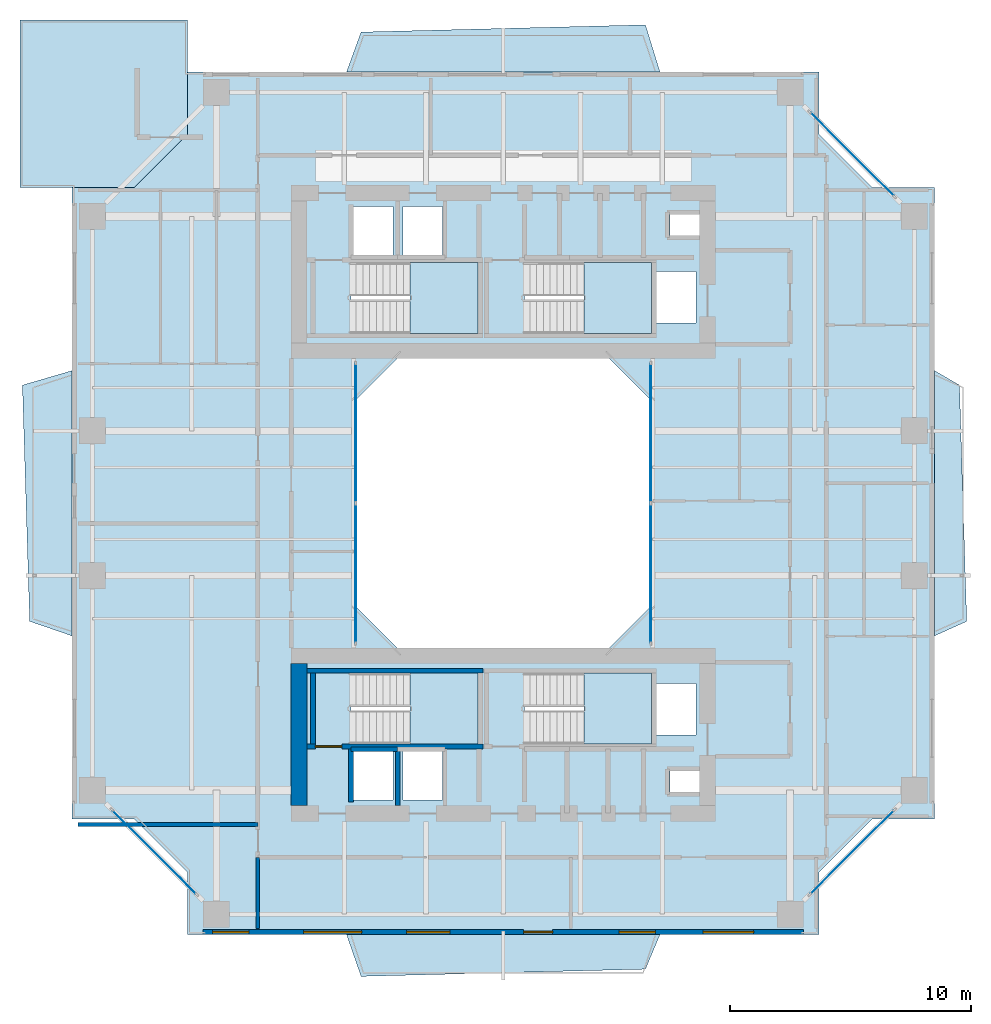
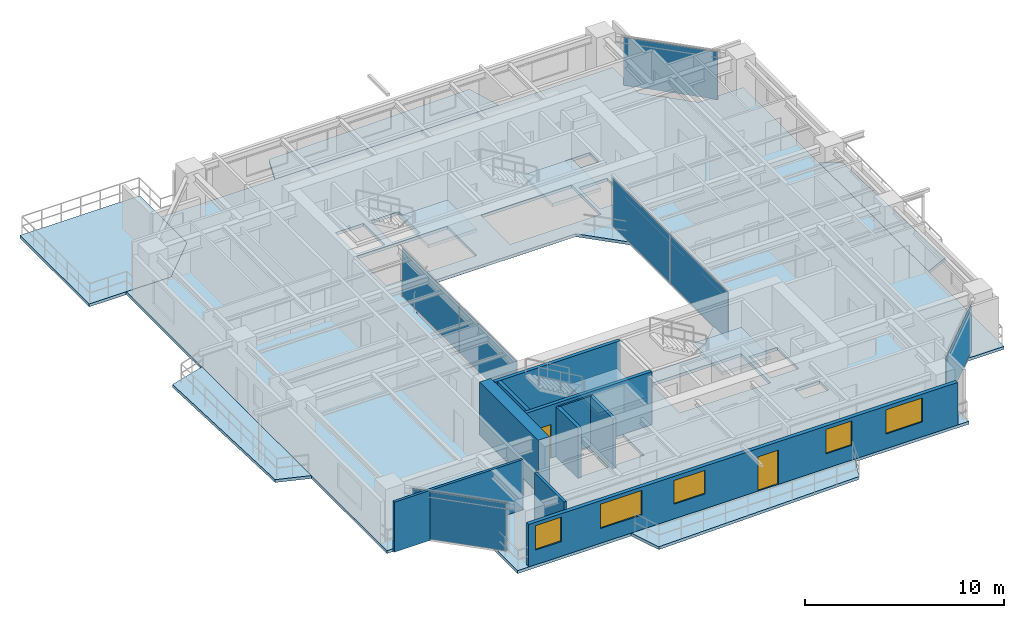
# One storey, part 9 of 17: 10 slabs, 10 walls, 7 plates, 5 windows, 2 doors, 7 openings, 9 elements without a shape of their own.
"""IFC4 building model written with IfcOpenShell, lengths in metres."""

from ifc_helpers import new_model, si_unit, direction, frame, frame_2d, origin, origin_2d, place, context, subcontext, project, spatial, polyline, rectangle, outline, extrude, source, transform, mapped, material, layer, layer_set, type_object, element, fill, aggregate, save


model = new_model("IFC4")

# Units and contexts
model_context = context("Model", 3, precision=1e-05, world=origin(), true_north=direction((0.0, 1.0)))
body_context = subcontext(model_context, "Body", "Model", "MODEL_VIEW")
ifc_project = project(units=[si_unit("LENGTHUNIT", "METRE"), si_unit("AREAUNIT", "SQUARE_METRE"), si_unit("VOLUMEUNIT", "CUBIC_METRE"), si_unit("PLANEANGLEUNIT", "RADIAN"), si_unit("MASSUNIT", "GRAM", prefix="KILO"), si_unit("THERMODYNAMICTEMPERATUREUNIT", "KELVIN"), si_unit("POWERUNIT", "WATT")], contexts=[model_context])

# Site, building, storey
site_placement = place(None, origin())
site = spatial("IfcSite", under=ifc_project, at=site_placement, CompositionType="ELEMENT")
building_placement = place(site_placement, origin())
building = spatial("IfcBuilding", under=site, at=building_placement, Name="Qiaomeng Ring Towers", CompositionType="ELEMENT")
storey_placement = place(building_placement, frame((0.0, 0.0, 132.75)))
storey = spatial("IfcBuildingStorey", under=building, at=storey_placement, Name="L38", CompositionType="ELEMENT", Elevation=132.75)

# Slabs
ifc_material_1 = material(Name="Concrete C40", Category="concrete")
ifc_layer_1 = layer(ifc_material_1, 0.179931640625, Name="Concrete C40")
ifc_layer_set_1 = layer_set([ifc_layer_1], Name="Concrete C40")
slab_type_1 = type_object("IfcSlabType", Name="STR-SL-180", PredefinedType="FLOOR", material=ifc_layer_set_1)
slab_1_placement = place(storey_placement, frame((0.0, 0.0, -0.179931640625)))
element("IfcSlab", 1, at=slab_1_placement, inside=storey, type_object=slab_type_1, Name="L38 Tower 1 Annular Floor Slab", PredefinedType="FLOOR", context=body_context, shape_type="SweptSolid", body=[
    extrude(outline(polyline([(5.89990234375, 5.10009765625), (32.10009765625, 5.10009765625), (32.10009765625, 7.699951171875), (34.300048828125, 9.89990234375), (36.89990234375, 9.89990234375), (36.89990234375, 36.10009765625), (34.300048828125, 36.10009765625), (32.10009765625, 38.300048828125), (32.10009765625, 40.89990234375), (5.89990234375, 40.89990234375), (5.89990234375, 38.300048828125), (3.699951171875, 36.10009765625), (1.10009765625, 36.10009765625), (1.10009765625, 9.89990234375), (3.699951171875, 9.89990234375), (5.89990234375, 7.699951171875), (5.89990234375, 5.10009765625)]), holes=[polyline([(12.780029296875, 10.679931640625), (12.780029296875, 12.820068359375), (14.419921875, 12.820068359375), (14.419921875, 10.679931640625), (12.780029296875, 10.679931640625)]), polyline([(14.830078125, 12.820068359375), (16.469970703125, 12.820068359375), (16.469970703125, 10.679931640625), (14.830078125, 10.679931640625), (14.830078125, 12.820068359375)]), polyline([(12.679931640625, 15.949951171875), (17.949951171875, 15.949951171875), (17.949951171875, 13.010009765625), (12.679931640625, 13.010009765625), (12.679931640625, 15.949951171875)]), polyline([(23.199951171875, 29.199951171875), (25.199951171875, 27.199951171875), (25.199951171875, 18.800048828125), (23.199951171875, 16.800048828125), (14.800048828125, 16.800048828125), (12.800048828125, 18.800048828125), (12.800048828125, 27.199951171875), (14.800048828125, 29.199951171875), (23.199951171875, 29.199951171875)]), polyline([(12.679931640625, 32.989990234375), (17.949951171875, 32.989990234375), (17.949951171875, 30.050048828125), (12.679931640625, 30.050048828125), (12.679931640625, 32.989990234375)]), polyline([(12.780029296875, 35.320068359375), (14.419921875, 35.320068359375), (14.419921875, 33.179931640625), (12.780029296875, 33.179931640625), (12.780029296875, 35.320068359375)]), polyline([(14.830078125, 33.179931640625), (14.830078125, 35.320068359375), (16.469970703125, 35.320068359375), (16.469970703125, 33.179931640625), (14.830078125, 33.179931640625)]), polyline([(25.919921875, 11.89990234375), (27.360107421875, 11.89990234375), (27.360107421875, 11.0), (25.919921875, 11.0), (25.919921875, 11.89990234375)]), polyline([(25.360107421875, 15.52001953125), (27.0, 15.52001953125), (27.0, 13.3798828125), (25.360107421875, 13.3798828125), (25.360107421875, 15.52001953125)]), polyline([(19.8798828125, 15.949951171875), (25.14990234375, 15.949951171875), (25.14990234375, 13.010009765625), (19.8798828125, 13.010009765625), (19.8798828125, 15.949951171875)]), polyline([(19.8798828125, 32.989990234375), (25.14990234375, 32.989990234375), (25.14990234375, 30.050048828125), (19.8798828125, 30.050048828125), (19.8798828125, 32.989990234375)]), polyline([(25.360107421875, 32.6201171875), (27.0, 32.6201171875), (27.0, 30.47998046875), (25.360107421875, 30.47998046875), (25.360107421875, 32.6201171875)]), polyline([(25.919921875, 35.0), (27.360107421875, 35.0), (27.360107421875, 34.10009765625), (25.919921875, 34.10009765625), (25.919921875, 35.0)])]), origin(), (0.0, 0.0, 1.0), 0.179931640625),
])
ifc_layer_2 = layer(ifc_material_1, 0.179931640625, Name="Concrete C40")
ifc_layer_set_2 = layer_set([ifc_layer_2], Name="Concrete C40")
slab_type_2 = type_object("IfcSlabType", Name="STR-SL-BAL", PredefinedType="FLOOR", material=ifc_layer_set_2)
slab_2_placement = place(storey_placement, frame((0.0, 0.0, -0.179931640625)))
element("IfcSlab", 2, at=slab_2_placement, inside=storey, type_object=slab_type_2, Name="L38 Tower 1 S Faceted Balcony Slab", PredefinedType="FLOOR", context=body_context, shape_type="SweptSolid", body=[
    extrude(outline(polyline([(24.89990234375, 3.669921875), (13.10009765625, 3.3701171875), (12.5, 5.10009765625), (25.5, 5.10009765625), (24.89990234375, 3.669921875)])), origin(), (0.0, 0.0, 1.0), 0.179931640625),
])
slab_3_placement = place(storey_placement, frame((0.0, 0.0, -0.179931640625)))
element("IfcSlab", 3, at=slab_3_placement, inside=storey, type_object=slab_type_2, Name="L38 Tower 1 E Faceted Balcony Slab", PredefinedType="FLOOR", context=body_context, shape_type="SweptSolid", body=[
    extrude(outline(polyline([(37.929931640625, 27.89990234375), (38.22998046875, 18.10009765625), (36.89990234375, 17.5), (36.89990234375, 28.5), (37.929931640625, 27.89990234375)])), origin(), (0.0, 0.0, 1.0), 0.179931640625),
])
slab_4_placement = place(storey_placement, frame((0.0, 0.0, -0.179931640625)))
element("IfcSlab", 4, at=slab_4_placement, inside=storey, type_object=slab_type_2, Name="L38 Tower 1 N Faceted Balcony Slab", PredefinedType="FLOOR", context=body_context, shape_type="SweptSolid", body=[
    extrude(outline(polyline([(12.5, 40.89990234375), (13.10009765625, 42.550048828125), (24.89990234375, 42.85009765625), (25.5, 40.89990234375), (12.5, 40.89990234375)])), origin(), (0.0, 0.0, 1.0), 0.179931640625),
])
slab_5_placement = place(storey_placement, frame((0.0, 0.0, -0.179931640625)))
element("IfcSlab", 5, at=slab_5_placement, inside=storey, type_object=slab_type_2, Name="L38 Tower 1 W Faceted Balcony Slab", PredefinedType="FLOOR", context=body_context, shape_type="SweptSolid", body=[
    extrude(outline(polyline([(-0.64990234375, 18.10009765625), (-0.949951171875, 27.89990234375), (1.10009765625, 28.5), (1.10009765625, 17.5), (-0.64990234375, 18.10009765625)])), origin(), (0.0, 0.0, 1.0), 0.179931640625),
])

# Stair, slab
ifc_material_2 = material(Name="Precast concrete C40", Category="concrete")
stair_type = type_object("IfcStairType", Name="ARC-ST-325", PredefinedType="HALF_TURN_STAIR", material=ifc_material_2)
stair_1_placement = place(storey_placement, origin())
stair_1 = element("IfcStair", 6, at=stair_1_placement, inside=storey, type_object=stair_type, Name="L38 Tower 1 North Stair 1", PredefinedType="HALF_TURN_STAIR")
ifc_layer_3 = layer(ifc_material_1, 0.199951171875, Name="Concrete C40")
ifc_layer_set_3 = layer_set([ifc_layer_3], Name="Concrete C40")
slab_type_3 = type_object("IfcSlabType", Name="STR-SL-LANDING", PredefinedType="LANDING", material=ifc_layer_set_3)
slab_6_placement = place(storey_placement, frame((0.0, 0.0, 1.425048828125)))
slab_6 = element("IfcSlab", 7, at=slab_6_placement, type_object=slab_type_3, Name="ST1 landing 1", PredefinedType="LANDING", context=body_context, shape_type="SweptSolid", body=[
    extrude(outline(polyline([(15.139892578125, 30.050048828125), (17.949951171875, 30.050048828125), (17.949951171875, 32.989990234375), (15.139892578125, 32.989990234375), (15.139892578125, 30.050048828125)])), origin(), (0.0, 0.0, 1.0), 0.199951171875),
])
aggregate(stair_1, [slab_6])

stair_2_placement = place(storey_placement, origin())
stair_2 = element("IfcStair", 8, at=stair_2_placement, inside=storey, type_object=stair_type, Name="L38 Tower 1 North Stair 2", PredefinedType="HALF_TURN_STAIR")
slab_7_placement = place(storey_placement, frame((0.0, 0.0, 1.425048828125)))
slab_7 = element("IfcSlab", 9, at=slab_7_placement, type_object=slab_type_3, Name="ST2 landing 1", PredefinedType="LANDING", context=body_context, shape_type="SweptSolid", body=[
    extrude(outline(polyline([(22.340087890625, 30.050048828125), (25.14990234375, 30.050048828125), (25.14990234375, 32.989990234375), (22.340087890625, 32.989990234375), (22.340087890625, 30.050048828125)])), origin(), (0.0, 0.0, 1.0), 0.199951171875),
])
aggregate(stair_2, [slab_7])

stair_3_placement = place(storey_placement, origin())
stair_3 = element("IfcStair", 10, at=stair_3_placement, inside=storey, type_object=stair_type, Name="L38 Tower 1 South Stair 3", PredefinedType="HALF_TURN_STAIR")
slab_8_placement = place(storey_placement, frame((0.0, 0.0, 1.425048828125)))
slab_8 = element("IfcSlab", 11, at=slab_8_placement, type_object=slab_type_3, Name="ST3 landing 1", PredefinedType="LANDING", context=body_context, shape_type="SweptSolid", body=[
    extrude(outline(polyline([(15.139892578125, 13.010009765625), (17.949951171875, 13.010009765625), (17.949951171875, 15.949951171875), (15.139892578125, 15.949951171875), (15.139892578125, 13.010009765625)])), origin(), (0.0, 0.0, 1.0), 0.199951171875),
])
aggregate(stair_3, [slab_8])

stair_4_placement = place(storey_placement, origin())
stair_4 = element("IfcStair", 12, at=stair_4_placement, inside=storey, type_object=stair_type, Name="L38 Tower 1 South Stair 4", PredefinedType="HALF_TURN_STAIR")
slab_9_placement = place(storey_placement, frame((0.0, 0.0, 1.425048828125)))
slab_9 = element("IfcSlab", 13, at=slab_9_placement, type_object=slab_type_3, Name="ST4 landing 1", PredefinedType="LANDING", context=body_context, shape_type="SweptSolid", body=[
    extrude(outline(polyline([(22.340087890625, 13.010009765625), (25.14990234375, 13.010009765625), (25.14990234375, 15.949951171875), (22.340087890625, 15.949951171875), (22.340087890625, 13.010009765625)])), origin(), (0.0, 0.0, 1.0), 0.199951171875),
])
aggregate(stair_4, [slab_9])

# Slab
ifc_layer_4 = layer(ifc_material_1, 0.179931640625, Name="Concrete C40")
ifc_layer_set_4 = layer_set([ifc_layer_4], Name="Concrete C40")
slab_type_4 = type_object("IfcSlabType", Name="STR-SL-TERR180", PredefinedType="FLOOR", material=ifc_layer_set_4)
slab_10_placement = place(storey_placement, frame((0.0, 0.0, -0.179931640625)))
element("IfcSlab", 14, at=slab_10_placement, inside=storey, type_object=slab_type_4, Name="L38 Spiralling Corner Sky Terrace NW", PredefinedType="FLOOR", context=body_context, shape_type="SweptSolid", body=[
    extrude(outline(polyline([(-1.050048828125, 36.10009765625), (-1.050048828125, 43.050048828125), (5.89990234375, 43.050048828125), (5.89990234375, 40.89990234375), (5.89990234375, 40.89990234375), (5.89990234375, 38.300048828125), (3.699951171875, 36.10009765625), (1.10009765625, 36.10009765625), (-1.050048828125, 36.10009765625)])), origin(), (0.0, 0.0, 1.0), 0.179931640625),
])

# Curtain wall, plates
ifc_material_3 = material(Name="Fluorocarbon dark-grey aluminium", Category="aluminium")
ifc_layer_5 = layer(ifc_material_3, 0.139892578125, Name="Fluorocarbon dark-grey aluminium")
ifc_layer_set_5 = layer_set([ifc_layer_5], Name="Fluorocarbon dark-grey aluminium")
curtain_wall_type_1 = type_object("IfcCurtainWallType", Name="ARC-CW-4", PredefinedType="NOTDEFINED", material=ifc_layer_set_5)
curtain_wall_1_placement = place(storey_placement, origin())
curtain_wall_1 = element("IfcCurtainWall", 15, at=curtain_wall_1_placement, inside=storey, type_object=curtain_wall_type_1, Name="L38 Curtain Wall CW4", PredefinedType="NOTDEFINED")
ifc_material_4 = material(Name="Low-E dark-grey laminated double glazing", Category="glass")
ifc_layer_6 = layer(ifc_material_4, 0.028076171875, Name="Low-E dark-grey laminated double glazing")
ifc_layer_set_6 = layer_set([ifc_layer_6], Name="Low-E dark-grey laminated double glazing")
plate_type = type_object("IfcPlateType", Name="ARC-CWP-DARK", PredefinedType="CURTAIN_PANEL", material=ifc_layer_set_6)
shared_shape_1 = source(origin(), body_context, "Body", "SweptSolid", [
    extrude(rectangle(XDim=5.75244140625, YDim=0.028076171875, at=origin_2d()), origin(), (0.0, 0.0, 1.0), 2.93994140625),
])
plate_1_placement = place(storey_placement, frame((12.8798828125, 20.09130859375, 0.06494140625), z_axis=(0.0, 0.0, 1.0), x_axis=(0.0, 1.0, 0.0)))
plate_1 = element("IfcPlate", 16, at=plate_1_placement, type_object=plate_type, Name="CW4 panel 1.1", PredefinedType="CURTAIN_PANEL", context=body_context, shape_type="MappedRepresentation", body=[
    mapped(shared_shape_1, transform((0.0, 0.0, 0.0), x_axis=(1.0, 0.0, 0.0), y_axis=(0.0, 1.0, 0.0), z_axis=(0.0, 0.0, 1.0), scale=1.0)),
])
plate_2_placement = place(storey_placement, frame((12.8798828125, 25.90869140625, 0.06494140625), z_axis=(0.0, 0.0, 1.0), x_axis=(0.0, 1.0, 0.0)))
plate_2 = element("IfcPlate", 17, at=plate_2_placement, type_object=plate_type, Name="CW4 panel 2.1", PredefinedType="CURTAIN_PANEL", context=body_context, shape_type="MappedRepresentation", body=[
    mapped(shared_shape_1, transform((0.0, 0.0, 0.0), x_axis=(1.0, 0.0, 0.0), y_axis=(0.0, 1.0, 0.0), z_axis=(0.0, 0.0, 1.0), scale=1.0)),
])
aggregate(curtain_wall_1, [plate_1, plate_2])

curtain_wall_2_placement = place(storey_placement, origin())
curtain_wall_2 = element("IfcCurtainWall", 18, at=curtain_wall_2_placement, inside=storey, type_object=curtain_wall_type_1, Name="L38 Curtain Wall CW4", PredefinedType="NOTDEFINED")
plate_3_placement = place(storey_placement, frame((25.1201171875, 20.09130859375, 0.06494140625), z_axis=(0.0, 0.0, 1.0), x_axis=(0.0, 1.0, 0.0)))
plate_3 = element("IfcPlate", 19, at=plate_3_placement, type_object=plate_type, Name="CW4 panel 1.1", PredefinedType="CURTAIN_PANEL", context=body_context, shape_type="MappedRepresentation", body=[
    mapped(shared_shape_1, transform((0.0, 0.0, 0.0), x_axis=(1.0, 0.0, 0.0), y_axis=(0.0, 1.0, 0.0), z_axis=(0.0, 0.0, 1.0), scale=1.0)),
])
plate_4_placement = place(storey_placement, frame((25.1201171875, 25.90869140625, 0.06494140625), z_axis=(0.0, 0.0, 1.0), x_axis=(0.0, 1.0, 0.0)))
plate_4 = element("IfcPlate", 20, at=plate_4_placement, type_object=plate_type, Name="CW4 panel 2.1", PredefinedType="CURTAIN_PANEL", context=body_context, shape_type="MappedRepresentation", body=[
    mapped(shared_shape_1, transform((0.0, 0.0, 0.0), x_axis=(1.0, 0.0, 0.0), y_axis=(0.0, 1.0, 0.0), z_axis=(0.0, 0.0, 1.0), scale=1.0)),
])
aggregate(curtain_wall_2, [plate_3, plate_4])

# Curtain wall, plate
ifc_layer_7 = layer(ifc_material_3, 0.14990234375, Name="Fluorocarbon dark-grey aluminium")
ifc_layer_set_7 = layer_set([ifc_layer_7], Name="Fluorocarbon dark-grey aluminium")
curtain_wall_type_2 = type_object("IfcCurtainWallType", Name="ARC-CW-3", PredefinedType="NOTDEFINED", material=ifc_layer_set_7)
curtain_wall_3_placement = place(storey_placement, origin())
curtain_wall_3 = element("IfcCurtainWall", 21, at=curtain_wall_3_placement, inside=storey, type_object=curtain_wall_type_2, Name="L38 Curtain Wall CW3", PredefinedType="NOTDEFINED")
shared_shape_2 = source(origin(), body_context, "Body", "SweptSolid", [
    extrude(rectangle(XDim=4.90869140625, YDim=0.028076171875, at=origin_2d()), origin(), (0.0, 0.0, 1.0), 2.93994140625),
])
plate_5_placement = place(storey_placement, frame((33.47509765625, 8.52490234375, 0.06494140625), z_axis=(0.0, 0.0, 1.0), x_axis=(0.707106781187, 0.707106781187, 0.0)))
plate_5 = element("IfcPlate", 22, at=plate_5_placement, type_object=plate_type, Name="CW3 panel 1.1", PredefinedType="CURTAIN_PANEL", context=body_context, shape_type="MappedRepresentation", body=[
    mapped(shared_shape_2, transform((0.0, 0.0, 0.0), x_axis=(1.0, 0.0, 0.0), y_axis=(0.0, 1.0, 0.0), z_axis=(0.0, 0.0, 1.0), scale=1.0)),
])
aggregate(curtain_wall_3, [plate_5])

curtain_wall_4_placement = place(storey_placement, origin())
curtain_wall_4 = element("IfcCurtainWall", 23, at=curtain_wall_4_placement, inside=storey, type_object=curtain_wall_type_2, Name="L38 Curtain Wall CW3", PredefinedType="NOTDEFINED")
plate_6_placement = place(storey_placement, frame((33.47509765625, 37.47509765625, 0.06494140625), z_axis=(0.0, 0.0, 1.0), x_axis=(-0.707106781187, 0.707106781187, 0.0)))
plate_6 = element("IfcPlate", 24, at=plate_6_placement, type_object=plate_type, Name="CW3 panel 1.1", PredefinedType="CURTAIN_PANEL", context=body_context, shape_type="MappedRepresentation", body=[
    mapped(shared_shape_2, transform((0.0, 0.0, 0.0), x_axis=(1.0, 0.0, 0.0), y_axis=(0.0, 1.0, 0.0), z_axis=(0.0, 0.0, 1.0), scale=1.0)),
])
aggregate(curtain_wall_4, [plate_6])

curtain_wall_5_placement = place(storey_placement, origin())
curtain_wall_5 = element("IfcCurtainWall", 25, at=curtain_wall_5_placement, inside=storey, type_object=curtain_wall_type_2, Name="L38 Curtain Wall CW3", PredefinedType="NOTDEFINED")
plate_7_placement = place(storey_placement, frame((4.52490234375, 8.52490234375, 0.06494140625), z_axis=(0.0, 0.0, 1.0), x_axis=(0.707106781187, -0.707106781187, 0.0)))
plate_7 = element("IfcPlate", 26, at=plate_7_placement, type_object=plate_type, Name="CW3 panel 1.1", PredefinedType="CURTAIN_PANEL", context=body_context, shape_type="MappedRepresentation", body=[
    mapped(shared_shape_2, transform((0.0, 0.0, 0.0), x_axis=(1.0, 0.0, 0.0), y_axis=(0.0, 1.0, 0.0), z_axis=(0.0, 0.0, 1.0), scale=1.0)),
])
aggregate(curtain_wall_5, [plate_7])

# Wall, openings, windows, door
ifc_layer_8 = layer(ifc_material_2, 0.219970703125, Name="Precast concrete C40")
ifc_layer_set_8 = layer_set([ifc_layer_8], Name="Precast concrete C40")
wall_type_1 = type_object("IfcWallType", Name="ARC-WL-EW2", PredefinedType="STANDARD", material=ifc_layer_set_8)
wall_1_placement = place(storey_placement, frame((6.550048828125, 5.2099609375, 0.0), z_axis=(0.0, 0.0, 1.0), x_axis=(1.0, 0.0, 0.0)))
wall_1 = element("IfcWall", 27, at=wall_1_placement, inside=storey, type_object=wall_type_1, Name="L38 Tower 1 S Exterior Wall", PredefinedType="STANDARD", context=body_context, shape_type="SweptSolid", body=[
    extrude(rectangle(XDim=24.89990234375, YDim=0.219970703125, at=frame_2d((12.449951171875, 0.0))), origin(), (0.0, 0.0, 1.0), 2.610107421875),
])
opening_1_placement = place(wall_1_placement, frame((13.300048828125, 0.0, 0.0)))
opening_1 = element("IfcOpeningElement", 28, at=opening_1_placement, cuts=wall_1, Name="Opening BD1", PredefinedType="OPENING", context=body_context, shape_type="SweptSolid", body=[
    extrude(rectangle(XDim=1.199951171875, YDim=2.10009765625, at=frame_2d((0.60009765625, 1.050048828125))), frame((0.0, 0.119873046875, 0.0), z_axis=(0.0, -1.0, 0.0), x_axis=(1.0, 0.0, 0.0)), (0.0, 0.0, 1.0), 0.239990234375),
])
opening_2_placement = place(wall_1_placement, frame((0.392578125, 0.0, 0.89990234375)))
opening_2 = element("IfcOpeningElement", 29, at=opening_2_placement, cuts=wall_1, Name="Opening WN2", PredefinedType="OPENING", context=body_context, shape_type="SweptSolid", body=[
    extrude(rectangle(XDim=1.5, YDim=1.5, at=frame_2d((0.75, 0.75))), frame((0.0, 0.119873046875, 0.0), z_axis=(0.0, -1.0, 0.0), x_axis=(1.0, 0.0, 0.0)), (0.0, 0.0, 1.0), 0.239990234375),
])
opening_3_placement = place(wall_1_placement, frame((8.43798828125, 0.0, 0.89990234375)))
opening_3 = element("IfcOpeningElement", 30, at=opening_3_placement, cuts=wall_1, Name="Opening WN1", PredefinedType="OPENING", context=body_context, shape_type="SweptSolid", body=[
    extrude(rectangle(XDim=1.800048828125, YDim=1.449951171875, at=frame_2d((0.89990234375, 0.72509765625))), frame((0.0, 0.119873046875, 0.0), z_axis=(0.0, -1.0, 0.0), x_axis=(1.0, 0.0, 0.0)), (0.0, 0.0, 1.0), 0.239990234375),
])
opening_4_placement = place(wall_1_placement, frame((17.261474609375, 0.0, 0.89990234375)))
opening_4 = element("IfcOpeningElement", 31, at=opening_4_placement, cuts=wall_1, Name="Opening WN2", PredefinedType="OPENING", context=body_context, shape_type="SweptSolid", body=[
    extrude(rectangle(XDim=1.5, YDim=1.5, at=frame_2d((0.75, 0.75))), frame((0.0, 0.119873046875, 0.0), z_axis=(0.0, -1.0, 0.0), x_axis=(1.0, 0.0, 0.0)), (0.0, 0.0, 1.0), 0.239990234375),
])
opening_5_placement = place(wall_1_placement, frame((20.738037109375, 0.0, 0.89990234375)))
opening_5 = element("IfcOpeningElement", 32, at=opening_5_placement, cuts=wall_1, Name="Opening WN4", PredefinedType="OPENING", context=body_context, shape_type="SweptSolid", body=[
    extrude(rectangle(XDim=2.10009765625, YDim=1.47998046875, at=frame_2d((1.050048828125, 0.739990234375))), frame((0.0, 0.119873046875, 0.0), z_axis=(0.0, -1.0, 0.0), x_axis=(1.0, 0.0, 0.0)), (0.0, 0.0, 1.0), 0.239990234375),
])
opening_6_placement = place(wall_1_placement, frame((4.17138671875, 0.0, 0.89990234375)))
opening_6 = element("IfcOpeningElement", 33, at=opening_6_placement, cuts=wall_1, Name="Opening WN6", PredefinedType="OPENING", context=body_context, shape_type="SweptSolid", body=[
    extrude(rectangle(XDim=2.39990234375, YDim=1.5, at=frame_2d((1.199951171875, 0.75))), frame((0.0, 0.119873046875, 0.0), z_axis=(0.0, -1.0, 0.0), x_axis=(1.0, 0.0, 0.0)), (0.0, 0.0, 1.0), 0.239990234375),
])
window_type_1 = type_object("IfcWindowType", Name="ARC-WN-4", PartitioningType="TRIPLE_PANEL_VERTICAL", PredefinedType="WINDOW", material=ifc_material_4)
shared_shape_3 = source(origin(), body_context, "Body", "SweptSolid", [
    extrude(rectangle(XDim=2.10009765625, YDim=1.47998046875, at=frame_2d((1.050048828125, 0.739990234375))), frame((0.0, 0.030029296875, 0.0), z_axis=(0.0, -1.0, 0.0), x_axis=(1.0, 0.0, 0.0)), (0.0, 0.0, 1.0), 0.06005859375),
])
window_1_placement = place(opening_5_placement, origin())
window_1 = element("IfcWindow", 34, at=window_1_placement, inside=storey, type_object=window_type_1, Name="L38 Exterior Window WN4", OverallHeight=1.47998046875, OverallWidth=2.10009765625, PartitioningType="TRIPLE_PANEL_VERTICAL", PredefinedType="WINDOW", context=body_context, shape_type="MappedRepresentation", body=[
    mapped(shared_shape_3, transform((0.0, 0.0, 0.0), x_axis=(1.0, 0.0, 0.0), y_axis=(0.0, 1.0, 0.0), z_axis=(0.0, 0.0, 1.0), scale=1.0)),
])
fill(opening_5, window_1)
window_type_2 = type_object("IfcWindowType", Name="ARC-WN-1", PartitioningType="DOUBLE_PANEL_VERTICAL", PredefinedType="WINDOW", material=ifc_material_4)
shared_shape_4 = source(origin(), body_context, "Body", "SweptSolid", [
    extrude(rectangle(XDim=1.800048828125, YDim=1.449951171875, at=frame_2d((0.89990234375, 0.72509765625))), frame((0.0, 0.030029296875, 0.0), z_axis=(0.0, -1.0, 0.0), x_axis=(1.0, 0.0, 0.0)), (0.0, 0.0, 1.0), 0.06005859375),
])
window_2_placement = place(opening_3_placement, origin())
window_2 = element("IfcWindow", 35, at=window_2_placement, inside=storey, type_object=window_type_2, Name="L38 Exterior Window WN1", OverallHeight=1.449951171875, OverallWidth=1.800048828125, PartitioningType="DOUBLE_PANEL_VERTICAL", PredefinedType="WINDOW", context=body_context, shape_type="MappedRepresentation", body=[
    mapped(shared_shape_4, transform((0.0, 0.0, 0.0), x_axis=(1.0, 0.0, 0.0), y_axis=(0.0, 1.0, 0.0), z_axis=(0.0, 0.0, 1.0), scale=1.0)),
])
fill(opening_3, window_2)
door_type_1 = type_object("IfcDoorType", Name="ARC-DR-BD1", OperationType="NOTDEFINED", PredefinedType="DOOR", material=ifc_material_4)
shared_shape_5 = source(origin(), body_context, "Body", "SweptSolid", [
    extrude(rectangle(XDim=1.199951171875, YDim=2.10009765625, at=frame_2d((0.60009765625, 1.050048828125))), frame((0.0, 0.02490234375, 0.0), z_axis=(0.0, -1.0, 0.0), x_axis=(1.0, 0.0, 0.0)), (0.0, 0.0, 1.0), 0.050048828125),
])
door_1_placement = place(opening_1_placement, frame((1.199951171875, 0.0, 0.0), z_axis=(0.0, 0.0, 1.0), x_axis=(-1.0, 0.0, 0.0)))
door_1 = element("IfcDoor", 36, at=door_1_placement, inside=storey, type_object=door_type_1, Name="L38 S Balcony Glazed Door", OperationType="SINGLE_SWING_LEFT", OverallHeight=2.10009765625, OverallWidth=1.199951171875, PredefinedType="DOOR", context=body_context, shape_type="MappedRepresentation", body=[
    mapped(shared_shape_5, transform((0.0, 0.0, 0.0), x_axis=(1.0, 0.0, 0.0), y_axis=(0.0, 1.0, 0.0), z_axis=(0.0, 0.0, 1.0), scale=1.0)),
])
fill(opening_1, door_1)
window_type_3 = type_object("IfcWindowType", Name="ARC-WN-2", PartitioningType="DOUBLE_PANEL_VERTICAL", PredefinedType="WINDOW", material=ifc_material_4)
shared_shape_6 = source(origin(), body_context, "Body", "SweptSolid", [
    extrude(rectangle(XDim=1.5, YDim=1.5, at=frame_2d((0.75, 0.75))), frame((0.0, 0.030029296875, 0.0), z_axis=(0.0, -1.0, 0.0), x_axis=(1.0, 0.0, 0.0)), (0.0, 0.0, 1.0), 0.06005859375),
])
window_3_placement = place(opening_2_placement, origin())
window_3 = element("IfcWindow", 37, at=window_3_placement, inside=storey, type_object=window_type_3, Name="L38 Exterior Window WN6", OverallHeight=1.5, OverallWidth=1.5, PartitioningType="TRIPLE_PANEL_VERTICAL", PredefinedType="WINDOW", context=body_context, shape_type="MappedRepresentation", body=[
    mapped(shared_shape_6, transform((0.0, 0.0, 0.0), x_axis=(1.0, 0.0, 0.0), y_axis=(0.0, 1.0, 0.0), z_axis=(0.0, 0.0, 1.0), scale=1.0)),
])
fill(opening_2, window_3)
window_4_placement = place(opening_4_placement, origin())
window_4 = element("IfcWindow", 38, at=window_4_placement, inside=storey, type_object=window_type_3, Name="L38 Exterior Window WN2", OverallHeight=1.5, OverallWidth=1.5, PartitioningType="DOUBLE_PANEL_VERTICAL", PredefinedType="WINDOW", context=body_context, shape_type="MappedRepresentation", body=[
    mapped(shared_shape_6, transform((0.0, 0.0, 0.0), x_axis=(1.0, 0.0, 0.0), y_axis=(0.0, 1.0, 0.0), z_axis=(0.0, 0.0, 1.0), scale=1.0)),
])
fill(opening_4, window_4)
window_type_4 = type_object("IfcWindowType", Name="ARC-WN-6", PartitioningType="TRIPLE_PANEL_VERTICAL", PredefinedType="WINDOW", material=ifc_material_4)
shared_shape_7 = source(origin(), body_context, "Body", "SweptSolid", [
    extrude(rectangle(XDim=2.39990234375, YDim=1.5, at=frame_2d((1.199951171875, 0.75))), frame((0.0, 0.030029296875, 0.0), z_axis=(0.0, -1.0, 0.0), x_axis=(1.0, 0.0, 0.0)), (0.0, 0.0, 1.0), 0.06005859375),
])
window_5_placement = place(opening_6_placement, origin())
window_5 = element("IfcWindow", 39, at=window_5_placement, inside=storey, type_object=window_type_4, Name="L38 Exterior Window WN6", OverallHeight=1.5, OverallWidth=2.39990234375, PartitioningType="TRIPLE_PANEL_VERTICAL", PredefinedType="WINDOW", context=body_context, shape_type="MappedRepresentation", body=[
    mapped(shared_shape_7, transform((0.0, 0.0, 0.0), x_axis=(1.0, 0.0, 0.0), y_axis=(0.0, 1.0, 0.0), z_axis=(0.0, 0.0, 1.0), scale=1.0)),
])
fill(opening_6, window_5)

# Walls
ifc_material_5 = material(Name="Autoclaved aerated concrete block", Category="concrete")
ifc_layer_9 = layer(ifc_material_5, 0.199951171875, Name="Autoclaved aerated concrete block")
ifc_layer_set_9 = layer_set([ifc_layer_9], Name="Autoclaved aerated concrete block")
wall_type_2 = type_object("IfcWallType", Name="ARC-WL-PW1", PredefinedType="PARTITIONING", material=ifc_layer_set_9)
wall_2_placement = place(storey_placement, frame((12.679931640625, 10.60009765625, 0.0), z_axis=(0.0, 0.0, 1.0), x_axis=(0.0, 1.0, 0.0)))
element("IfcWall", 40, at=wall_2_placement, inside=storey, type_object=wall_type_2, Name="L38 Interior Wall PW1", PredefinedType="PARTITIONING", context=body_context, shape_type="SweptSolid", body=[
    extrude(rectangle(XDim=2.2099609375, YDim=0.199951171875, at=frame_2d((1.10498046875, 0.0))), origin(), (0.0, 0.0, 1.0), 3.070068359375),
])
ifc_material_6 = material(Name="Gypsum fireboard steel-stud partition", Category="steel")
ifc_layer_10 = layer(ifc_material_6, 0.14990234375, Name="Gypsum fireboard steel-stud partition")
ifc_layer_set_10 = layer_set([ifc_layer_10], Name="Gypsum fireboard steel-stud partition")
wall_type_3 = type_object("IfcWallType", Name="ARC-WL-PW3", PredefinedType="PARTITIONING", material=ifc_layer_set_10)
wall_3_placement = place(storey_placement, frame((8.820068359375, 5.35009765625, 0.0), z_axis=(0.0, 0.0, 1.0), x_axis=(0.0, 1.0, 0.0)))
element("IfcWall", 41, at=wall_3_placement, inside=storey, type_object=wall_type_3, Name="L38 Interior Wall PW3", PredefinedType="PARTITIONING", context=body_context, shape_type="SweptSolid", body=[
    extrude(rectangle(XDim=2.9599609375, YDim=0.14990234375, at=frame_2d((1.47998046875, 0.0))), origin(), (0.0, 0.0, 1.0), 3.070068359375),
])
wall_4_placement = place(storey_placement, frame((1.35009765625, 9.669921875, 0.0), z_axis=(0.0, 0.0, 1.0), x_axis=(1.0, 0.0, 0.0)))
element("IfcWall", 42, at=wall_4_placement, inside=storey, type_object=wall_type_3, Name="L38 Interior Wall PW3", PredefinedType="PARTITIONING", context=body_context, shape_type="SweptSolid", body=[
    extrude(rectangle(XDim=7.469970703125, YDim=0.14990234375, at=frame_2d((3.73486328125, 0.0))), origin(), (0.0, 0.0, 1.0), 3.070068359375),
])
ifc_layer_11 = layer(ifc_material_1, 0.199951171875, Name="Concrete C40")
ifc_layer_set_11 = layer_set([ifc_layer_11], Name="Concrete C40")
wall_type_4 = type_object("IfcWallType", Name="STR-WL-STSHAFT", PredefinedType="SHEAR", material=ifc_layer_set_11)
wall_5_placement = place(storey_placement, frame((12.679931640625, 12.800048828125, 0.0), z_axis=(0.0, 0.0, 1.0), x_axis=(1.0, 0.0, 0.0)))
element("IfcWall", 43, at=wall_5_placement, inside=storey, type_object=wall_type_4, Name="L38 Lift LP6 Shaft Back Wall", PredefinedType="SHEAR", context=body_context, shape_type="SweptSolid", body=[
    extrude(rectangle(XDim=1.940185546875, YDim=0.179931640625, at=frame_2d((0.97021484375, 0.0))), origin(), (0.0, 0.0, 1.0), 3.070068359375),
])
wall_6_placement = place(storey_placement, frame((14.6201171875, 10.449951171875, 0.0), z_axis=(0.0, 0.0, 1.0), x_axis=(0.0, 1.0, 0.0)))
element("IfcWall", 44, at=wall_6_placement, inside=storey, type_object=wall_type_4, Name="L38 Lift LP6-LP4 Shaft Divider Wall", PredefinedType="SHEAR", context=body_context, shape_type="SweptSolid", body=[
    extrude(rectangle(XDim=2.35009765625, YDim=0.179931640625, at=frame_2d((1.175048828125, 0.0))), origin(), (0.0, 0.0, 1.0), 3.070068359375),
])

# Wall, opening, door
wall_7_placement = place(storey_placement, frame((10.85009765625, 12.909912109375, 0.0), z_axis=(0.0, 0.0, 1.0), x_axis=(1.0, 0.0, 0.0)))
wall_7 = element("IfcWall", 45, at=wall_7_placement, inside=storey, type_object=wall_type_4, Name="L38 Stair ST3 South Shaft Shear Wall", PredefinedType="SHEAR", context=body_context, shape_type="SweptSolid", body=[
    extrude(rectangle(XDim=7.2998046875, YDim=0.199951171875, at=frame_2d((3.64990234375, 0.0))), origin(), (0.0, 0.0, 1.0), 3.25),
])
opening_7_placement = place(wall_7_placement, frame((0.35009765625, 0.0, 0.0)))
opening_7 = element("IfcOpeningElement", 46, at=opening_7_placement, cuts=wall_7, Name="Opening FD3", PredefinedType="OPENING", context=body_context, shape_type="SweptSolid", body=[
    extrude(rectangle(XDim=1.10009765625, YDim=2.050048828125, at=frame_2d((0.550048828125, 1.02490234375))), frame((0.0, 0.10986328125, 0.0), z_axis=(0.0, -1.0, 0.0), x_axis=(1.0, 0.0, 0.0)), (0.0, 0.0, 1.0), 0.219970703125),
])
ifc_material_7 = material(Name="Galvanised steel", Category="steel")
door_type_2 = type_object("IfcDoorType", Name="ARC-DR-FD3", OperationType="NOTDEFINED", PredefinedType="DOOR", material=ifc_material_7)
shared_shape_8 = source(origin(), body_context, "Body", "SweptSolid", [
    extrude(rectangle(XDim=1.10009765625, YDim=2.050048828125, at=frame_2d((0.550048828125, 1.02490234375))), frame((0.0, 0.02490234375, 0.0), z_axis=(0.0, -1.0, 0.0), x_axis=(1.0, 0.0, 0.0)), (0.0, 0.0, 1.0), 0.050048828125),
])
door_2_placement = place(opening_7_placement, frame((1.10009765625, 0.0, 0.0), z_axis=(0.0, 0.0, 1.0), x_axis=(-1.0, 0.0, 0.0)))
door_2 = element("IfcDoor", 47, at=door_2_placement, inside=storey, type_object=door_type_2, Name="L38 Stair ST3 Exit Door", OperationType="SINGLE_SWING_RIGHT", OverallHeight=2.050048828125, OverallWidth=1.10009765625, PredefinedType="DOOR", context=body_context, shape_type="MappedRepresentation", body=[
    mapped(shared_shape_8, transform((0.0, 0.0, 0.0), x_axis=(1.0, 0.0, 0.0), y_axis=(0.0, 1.0, 0.0), z_axis=(0.0, 0.0, 1.0), scale=1.0)),
])
fill(opening_7, door_2)

# Walls
wall_8_placement = place(storey_placement, frame((10.85009765625, 16.050048828125, 0.0), z_axis=(0.0, 0.0, 1.0), x_axis=(1.0, 0.0, 0.0)))
element("IfcWall", 48, at=wall_8_placement, inside=storey, type_object=wall_type_4, Name="L38 Stair ST3 North Shaft Shear Wall", PredefinedType="SHEAR", context=body_context, shape_type="SweptSolid", body=[
    extrude(rectangle(XDim=7.2998046875, YDim=0.199951171875, at=frame_2d((3.64990234375, 0.0))), origin(), (0.0, 0.0, 1.0), 3.25),
])
wall_9_placement = place(storey_placement, frame((11.10009765625, 13.010009765625, 0.0), z_axis=(0.0, 0.0, 1.0), x_axis=(0.0, 1.0, 0.0)))
element("IfcWall", 49, at=wall_9_placement, inside=storey, type_object=wall_type_4, Name="L38 Stair ST3 West Shaft Shear Wall", PredefinedType="SHEAR", context=body_context, shape_type="SweptSolid", body=[
    extrude(rectangle(XDim=2.93994140625, YDim=0.199951171875, at=frame_2d((1.469970703125, 0.0))), origin(), (0.0, 0.0, 1.0), 3.25),
])
ifc_material_8 = material(Name="Concrete C55", Category="concrete")
ifc_layer_12 = layer(ifc_material_8, 0.64990234375, Name="Concrete C55")
ifc_layer_set_12 = layer_set([ifc_layer_12], Name="Concrete C55")
wall_type_5 = type_object("IfcWallType", Name="STR-WL-SW2A", PredefinedType="SHEAR", material=ifc_layer_set_12)
wall_10_placement = place(storey_placement, frame((10.52490234375, 10.449951171875, 0.0), z_axis=(0.0, 0.0, 1.0), x_axis=(0.0, 1.0, 0.0)))
element("IfcWall", 50, at=wall_10_placement, inside=storey, type_object=wall_type_5, Name="L38 T1SC west core shear wall", PredefinedType="SHEAR", context=body_context, shape_type="SweptSolid", body=[
    extrude(rectangle(XDim=5.900146484375, YDim=0.64990234375, at=frame_2d((2.9501953125, 0.0))), origin(), (0.0, 0.0, 1.0), 3.25),
])

save(model, "model.ifc")
